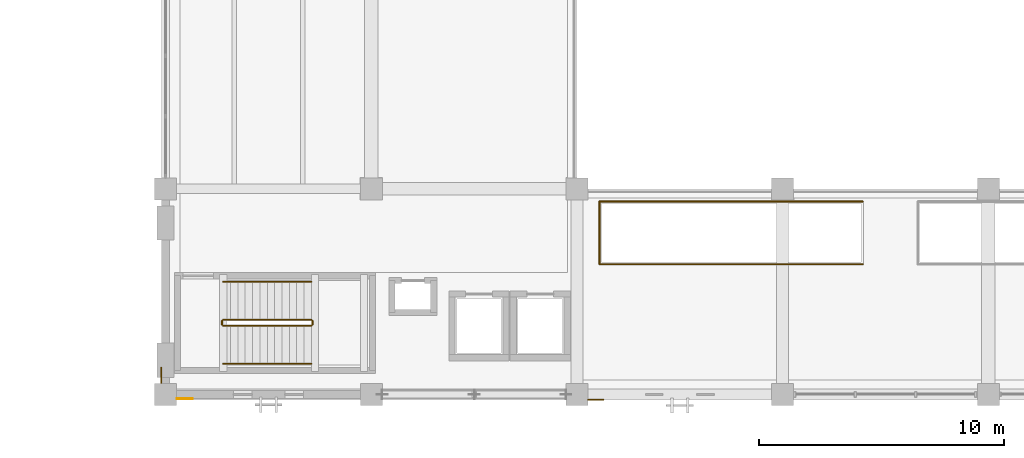
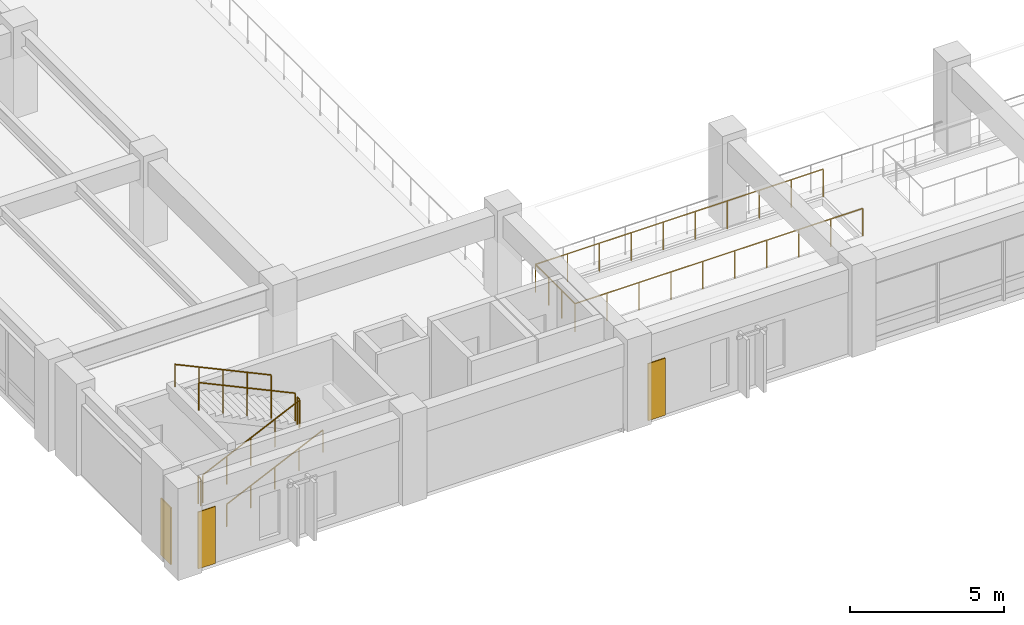
# One storey, part 88 of 118: 9 railings, 3 coverings.
"""IFC4 building model written with IfcOpenShell, lengths in metres."""

from ifc_helpers import new_model, si_unit, direction, frame, origin, origin_2d, place, context, subcontext, project, spatial, polyline, circle, outline, extrude, material, layer, layer_set, type_object, element, save


model = new_model("IFC4")

# Units and contexts
model_context = context("Model", 3, precision=1e-05, world=origin(), true_north=direction((0.0, 1.0)))
body_context = subcontext(model_context, "Body", "Model", "MODEL_VIEW")
ifc_project = project(units=[si_unit("LENGTHUNIT", "METRE"), si_unit("AREAUNIT", "SQUARE_METRE"), si_unit("VOLUMEUNIT", "CUBIC_METRE"), si_unit("PLANEANGLEUNIT", "RADIAN"), si_unit("MASSUNIT", "GRAM", prefix="KILO")], contexts=[model_context])

# Site, building, storey
site_placement = place(None, origin())
site = spatial("IfcSite", under=ifc_project, at=site_placement, CompositionType="ELEMENT")
building_placement = place(site_placement, origin())
building = spatial("IfcBuilding", under=site, at=building_placement, Name="Cumbredor Promenade Congress Hotel", CompositionType="ELEMENT")
storey_placement = place(building_placement, frame((0.0, 0.0, 3.919921875)))
storey = spatial("IfcBuildingStorey", under=building, at=storey_placement, Name="L01", CompositionType="ELEMENT", Elevation=3.919921875)

# Coverings
ifc_material_1 = material(Name="Precast concrete C40/50", Category="concrete")
ifc_layer_1 = layer(ifc_material_1, 0.044921875, Name="Precast concrete C40/50", Category="concrete")
ifc_layer_set_1 = layer_set([ifc_layer_1], Name="Precast concrete C40/50")
covering_type_1 = type_object("IfcCoveringType", Name="Board-Formed Architectural Cladding Panel 45mm", PredefinedType="CLADDING", material=ifc_layer_set_1)
covering_1_placement = place(storey_placement, origin())
element("IfcCovering", 1, at=covering_1_placement, inside=storey, type_object=covering_type_1, Name="L01 Facade Stone Cladding Pier 046", PredefinedType="CLADDING", context=body_context, shape_type="SweptSolid", body=[
    extrude(outline(polyline([(25.65087890625, 8.2099609375), (26.301025390625, 8.2099609375), (26.301025390625, 8.1650390625), (25.65087890625, 8.1650390625), (25.65087890625, 8.2099609375)])), origin(), (0.0, 0.0, 1.0), 2.25),
])
covering_2_placement = place(storey_placement, origin())
element("IfcCovering", 2, at=covering_2_placement, inside=storey, type_object=covering_type_1, Name="L01 Facade Stone Cladding Pier 050", PredefinedType="CLADDING", context=body_context, shape_type="SweptSolid", body=[
    extrude(outline(polyline([(8.237548828125, 8.85107421875), (8.237548828125, 9.5009765625), (8.1923828125, 9.5009765625), (8.1923828125, 8.85107421875), (8.237548828125, 8.85107421875)])), origin(), (0.0, 0.0, 1.0), 2.25),
])

# Railings
ifc_material_2 = material(Name="Brushed stainless steel", Category="steel")
railing_type_1 = type_object("IfcRailingType", Name="Interior Void & Stair Guardrail GR-1100", PredefinedType="GUARDRAIL", material=ifc_material_2)
railing_1_placement = place(storey_placement, frame((10.75, 11.199951171875, 0.14013671875)))
element("IfcRailing", 3, at=railing_1_placement, inside=storey, type_object=railing_type_1, Name="L01 ST-04 stair guard 1", PredefinedType="GUARDRAIL", context=body_context, shape_type="SweptSolid", body=[
    extrude(circle(Radius=0.02392578125, at=origin_2d()), frame((0.0, 0.0, 1.09619140625), z_axis=(0.906194129559, 0.0, 0.422861915468), x_axis=(0.0, 1.0, 0.0)), (0.0, 0.0, 1.0), 3.97265625),
    extrude(circle(Radius=0.02099609375, at=origin_2d()), origin(), (0.0, 0.0, 1.0), 1.072021484375),
    extrude(circle(Radius=0.02099609375, at=origin_2d()), frame((0.89990234375, 0.0, 0.419921875)), (0.0, 0.0, 1.0), 1.072021484375),
    extrude(circle(Radius=0.02099609375, at=origin_2d()), frame((1.800048828125, 0.0, 0.83984375)), (0.0, 0.0, 1.0), 1.072021484375),
    extrude(circle(Radius=0.02099609375, at=origin_2d()), frame((2.7001953125, 0.0, 1.260009765625)), (0.0, 0.0, 1.0), 1.072021484375),
    extrude(circle(Radius=0.02099609375, at=origin_2d()), frame((3.60009765625, 0.0, 1.679931640625)), (0.0, 0.0, 1.0), 1.072021484375),
])
railing_2_placement = place(storey_placement, frame((14.39990234375, 11.25, 1.820068359375)))
element("IfcRailing", 4, at=railing_2_placement, inside=storey, type_object=railing_type_1, Name="L01 ST-04 stair guard 2", PredefinedType="GUARDRAIL", context=body_context, shape_type="SweptSolid", body=[
    extrude(circle(Radius=0.02392578125, at=origin_2d()), frame((0.0, 0.0, 1.09619140625), z_axis=(0.0, 1.0, 0.0), x_axis=(-1.0, 0.0, 0.0)), (0.0, 0.0, 1.0), 0.14990234375),
    extrude(circle(Radius=0.02099609375, at=origin_2d()), origin(), (0.0, 0.0, 1.0), 1.072021484375),
    extrude(circle(Radius=0.02099609375, at=origin_2d()), frame((0.0, 0.14990234375, 0.0)), (0.0, 0.0, 1.0), 1.072021484375),
])
railing_3_placement = place(storey_placement, frame((14.35009765625, 11.449951171875, 1.9599609375)))
element("IfcRailing", 5, at=railing_3_placement, inside=storey, type_object=railing_type_1, Name="L01 ST-04 stair guard 3", PredefinedType="GUARDRAIL", context=body_context, shape_type="SweptSolid", body=[
    extrude(circle(Radius=0.02392578125, at=origin_2d()), frame((0.0, 0.0, 1.09619140625), z_axis=(-0.906170580071, 0.0, 0.422912378411), x_axis=(0.0, -1.0, 0.0)), (0.0, 0.0, 1.0), 3.972900390625),
    extrude(circle(Radius=0.02099609375, at=origin_2d()), origin(), (0.0, 0.0, 1.0), 1.072021484375),
    extrude(circle(Radius=0.02099609375, at=origin_2d()), frame((-0.89990234375, 0.0, 0.419921875)), (0.0, 0.0, 1.0), 1.072021484375),
    extrude(circle(Radius=0.02099609375, at=origin_2d()), frame((-1.800048828125, 0.0, 0.840087890625)), (0.0, 0.0, 1.0), 1.072021484375),
    extrude(circle(Radius=0.02099609375, at=origin_2d()), frame((-2.7001953125, 0.0, 1.26025390625)), (0.0, 0.0, 1.0), 1.072021484375),
    extrude(circle(Radius=0.02099609375, at=origin_2d()), frame((-3.60009765625, 0.0, 1.68017578125)), (0.0, 0.0, 1.0), 1.072021484375),
])
railing_4_placement = place(storey_placement, frame((10.699951171875, 11.25, 0.0)))
element("IfcRailing", 6, at=railing_4_placement, inside=storey, type_object=railing_type_1, Name="L01 ST-04 stair guard 4", PredefinedType="GUARDRAIL", context=body_context, shape_type="SweptSolid", body=[
    extrude(circle(Radius=0.02392578125, at=origin_2d()), frame((0.0, 0.0, 1.09619140625), z_axis=(0.0, 1.0, 0.0), x_axis=(-1.0, 0.0, 0.0)), (0.0, 0.0, 1.0), 0.14990234375),
    extrude(circle(Radius=0.02099609375, at=origin_2d()), origin(), (0.0, 0.0, 1.0), 1.072021484375),
    extrude(circle(Radius=0.02099609375, at=origin_2d()), frame((0.0, 0.14990234375, 0.0)), (0.0, 0.0, 1.0), 1.072021484375),
])
for number, where, name in (
    (7, (26.1201171875, 13.719970703125, 0.0), "L01 vm_01_well Void Perimeter Guardrail 1"),
    (8, (26.1201171875, 16.280029296875, 0.0), "L01 vm_01_well Void Perimeter Guardrail 2"),
):
    element("IfcRailing", number, at=place(storey_placement, frame(where)), inside=storey, type_object=railing_type_1, Name=name, PredefinedType="GUARDRAIL", context=body_context, shape_type="SweptSolid", body=[
        extrude(circle(Radius=0.02392578125, at=origin_2d()), frame((0.0, 0.0, 1.09619140625), z_axis=(1.0, 0.0, 0.0), x_axis=(0.0, 1.0, 0.0)), (0.0, 0.0, 1.0), 10.759765625),
        extrude(circle(Radius=0.02099609375, at=origin_2d()), origin(), (0.0, 0.0, 1.0), 1.072021484375),
        extrude(circle(Radius=0.02099609375, at=origin_2d()), frame((1.195556640625, 0.0, 0.0)), (0.0, 0.0, 1.0), 1.072021484375),
        extrude(circle(Radius=0.02099609375, at=origin_2d()), frame((2.39111328125, 0.0, 0.0)), (0.0, 0.0, 1.0), 1.072021484375),
        extrude(circle(Radius=0.02099609375, at=origin_2d()), frame((3.586669921875, 0.0, 0.0)), (0.0, 0.0, 1.0), 1.072021484375),
        extrude(circle(Radius=0.02099609375, at=origin_2d()), frame((4.7822265625, 0.0, 0.0)), (0.0, 0.0, 1.0), 1.072021484375),
        extrude(circle(Radius=0.02099609375, at=origin_2d()), frame((5.9775390625, 0.0, 0.0)), (0.0, 0.0, 1.0), 1.072021484375),
        extrude(circle(Radius=0.02099609375, at=origin_2d()), frame((7.173095703125, 0.0, 0.0)), (0.0, 0.0, 1.0), 1.072021484375),
        extrude(circle(Radius=0.02099609375, at=origin_2d()), frame((8.36865234375, 0.0, 0.0)), (0.0, 0.0, 1.0), 1.072021484375),
        extrude(circle(Radius=0.02099609375, at=origin_2d()), frame((9.564208984375, 0.0, 0.0)), (0.0, 0.0, 1.0), 1.072021484375),
        extrude(circle(Radius=0.02099609375, at=origin_2d()), frame((10.759765625, 0.0, 0.0)), (0.0, 0.0, 1.0), 1.072021484375),
    ])
railing_5_placement = place(storey_placement, frame((26.1201171875, 13.719970703125, 0.0)))
element("IfcRailing", 9, at=railing_5_placement, inside=storey, type_object=railing_type_1, Name="L01 vm_01_well Void Perimeter Guardrail 3", PredefinedType="GUARDRAIL", context=body_context, shape_type="SweptSolid", body=[
    extrude(circle(Radius=0.02392578125, at=origin_2d()), frame((0.0, 0.0, 1.09619140625), z_axis=(0.0, 1.0, 0.0), x_axis=(-1.0, 0.0, 0.0)), (0.0, 0.0, 1.0), 2.56005859375),
    extrude(circle(Radius=0.02099609375, at=origin_2d()), origin(), (0.0, 0.0, 1.0), 1.072021484375),
    extrude(circle(Radius=0.02099609375, at=origin_2d()), frame((0.0, 0.853271484375, 0.0)), (0.0, 0.0, 1.0), 1.072021484375),
    extrude(circle(Radius=0.02099609375, at=origin_2d()), frame((0.0, 1.706787109375, 0.0)), (0.0, 0.0, 1.0), 1.072021484375),
    extrude(circle(Radius=0.02099609375, at=origin_2d()), frame((0.0, 2.56005859375, 0.0)), (0.0, 0.0, 1.0), 1.072021484375),
])
railing_type_2 = type_object("IfcRailingType", Name="Stair Pitch Handrail HR-900", PredefinedType="HANDRAIL", material=ifc_material_2)
railing_6_placement = place(storey_placement, frame((10.75, 9.64990234375, 0.14013671875)))
element("IfcRailing", 10, at=railing_6_placement, inside=storey, type_object=railing_type_2, Name="L01 ST-04 stair handrail 1", PredefinedType="HANDRAIL", context=body_context, shape_type="SweptSolid", body=[
    extrude(circle(Radius=0.02392578125, at=origin_2d()), frame((0.0, 0.0, 0.8759765625), z_axis=(0.906194129559, 0.0, 0.422861915468), x_axis=(0.0, 1.0, 0.0)), (0.0, 0.0, 1.0), 3.97265625),
    extrude(circle(Radius=0.02099609375, at=origin_2d()), origin(), (0.0, 0.0, 1.0), 0.851806640625),
    extrude(circle(Radius=0.02099609375, at=origin_2d()), frame((0.89990234375, 0.0, 0.419921875)), (0.0, 0.0, 1.0), 0.851806640625),
    extrude(circle(Radius=0.02099609375, at=origin_2d()), frame((1.800048828125, 0.0, 0.83984375)), (0.0, 0.0, 1.0), 0.851806640625),
    extrude(circle(Radius=0.02099609375, at=origin_2d()), frame((2.7001953125, 0.0, 1.260009765625)), (0.0, 0.0, 1.0), 0.851806640625),
    extrude(circle(Radius=0.02099609375, at=origin_2d()), frame((3.60009765625, 0.0, 1.679931640625)), (0.0, 0.0, 1.0), 0.851806640625),
])
railing_7_placement = place(storey_placement, frame((14.35009765625, 13.0, 1.9599609375)))
element("IfcRailing", 11, at=railing_7_placement, inside=storey, type_object=railing_type_2, Name="L01 ST-04 stair handrail 2", PredefinedType="HANDRAIL", context=body_context, shape_type="SweptSolid", body=[
    extrude(circle(Radius=0.02392578125, at=origin_2d()), frame((0.0, 0.0, 0.8759765625), z_axis=(-0.906170580071, 0.0, 0.422912378411), x_axis=(0.0, -1.0, 0.0)), (0.0, 0.0, 1.0), 3.972900390625),
    extrude(circle(Radius=0.02099609375, at=origin_2d()), origin(), (0.0, 0.0, 1.0), 0.851806640625),
    extrude(circle(Radius=0.02099609375, at=origin_2d()), frame((-0.89990234375, 0.0, 0.419921875)), (0.0, 0.0, 1.0), 0.851806640625),
    extrude(circle(Radius=0.02099609375, at=origin_2d()), frame((-1.800048828125, 0.0, 0.840087890625)), (0.0, 0.0, 1.0), 0.851806640625),
    extrude(circle(Radius=0.02099609375, at=origin_2d()), frame((-2.7001953125, 0.0, 1.26025390625)), (0.0, 0.0, 1.0), 0.851806640625),
    extrude(circle(Radius=0.02099609375, at=origin_2d()), frame((-3.60009765625, 0.0, 1.68017578125)), (0.0, 0.0, 1.0), 0.851806640625),
])

# Covering
ifc_material_3 = material(Name="Volcanic andesite ashlar cladding", Category="masonry")
ifc_layer_2 = layer(ifc_material_3, 0.034912109375, Name="Volcanic andesite ashlar cladding", Category="masonry")
ifc_layer_set_2 = layer_set([ifc_layer_2], Name="Volcanic andesite ashlar cladding")
covering_type_2 = type_object("IfcCoveringType", Name="Volcanic Andesite Ashlar Rainscreen Cladding 35mm", PredefinedType="CLADDING", material=ifc_layer_set_2)
covering_3_placement = place(storey_placement, origin())
element("IfcCovering", 12, at=covering_3_placement, inside=storey, type_object=covering_type_2, Name="L01 Facade Stone Cladding Pier 045", PredefinedType="CLADDING", context=body_context, shape_type="SweptSolid", body=[
    extrude(outline(polyline([(8.85107421875, 8.237548828125), (9.5009765625, 8.237548828125), (9.5009765625, 8.202392578125), (8.85107421875, 8.202392578125), (8.85107421875, 8.237548828125)])), origin(), (0.0, 0.0, 1.0), 2.25),
])

save(model, "model.ifc")
